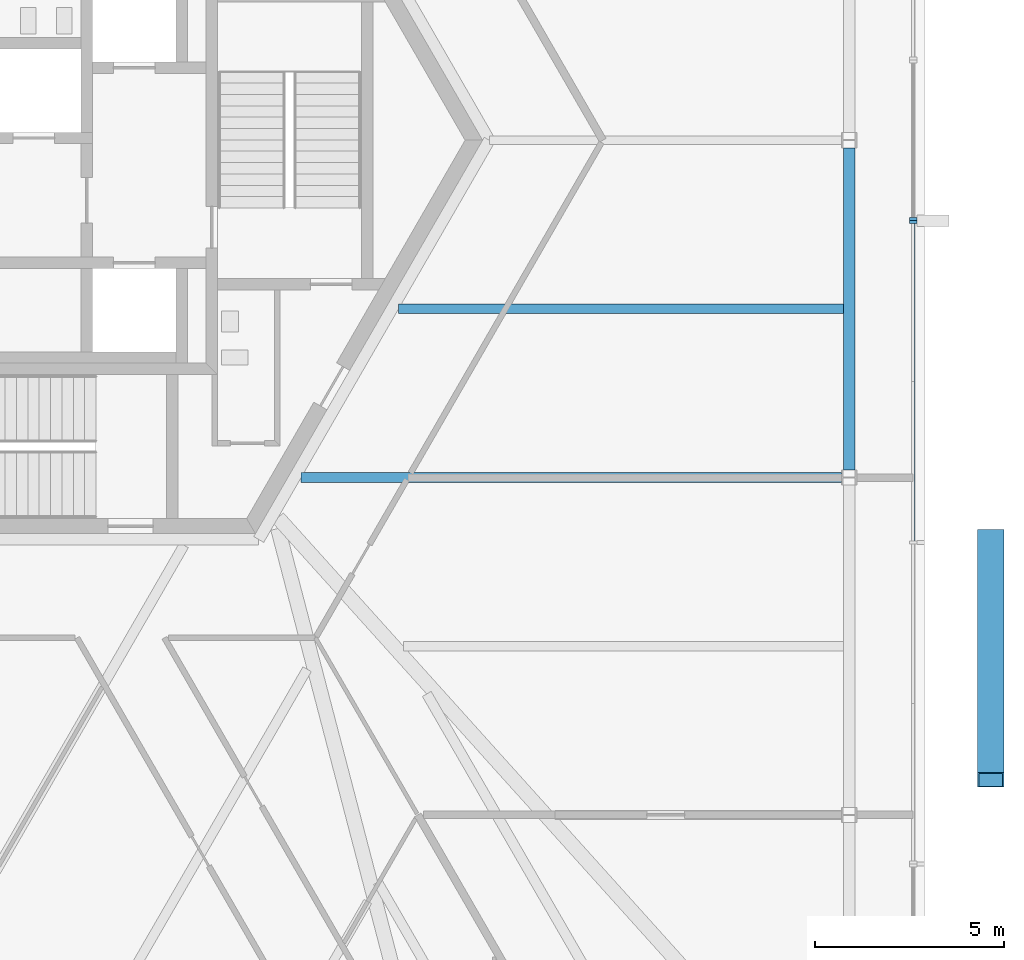
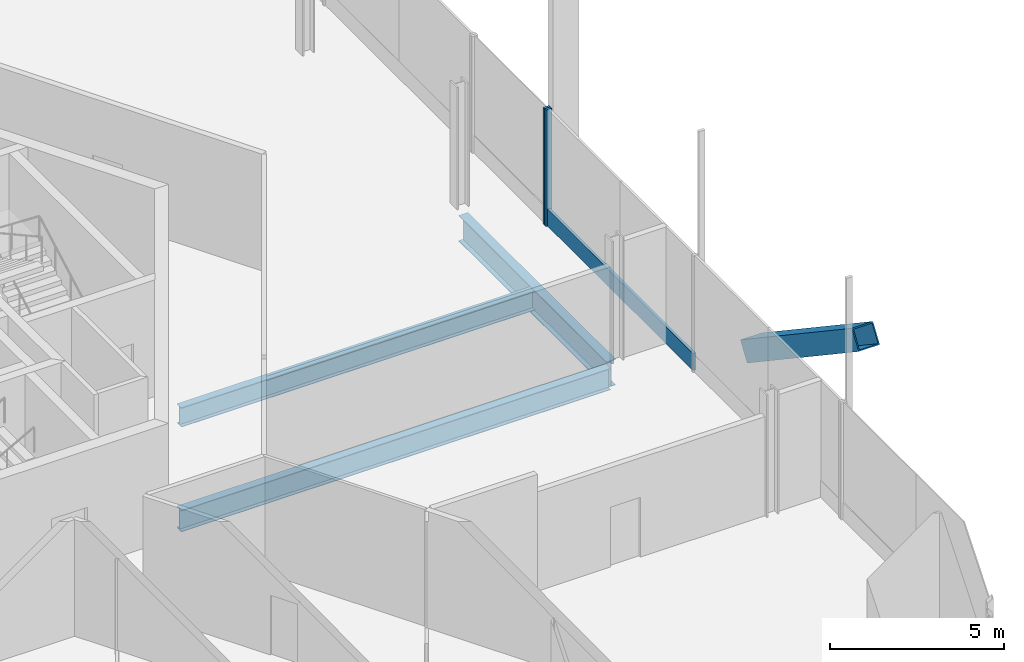
# One storey, part 5 of 19: 4 members, 3 beams, 2 elements without a shape of their own.
"""IFC4 building model written with IfcOpenShell, lengths in metres."""

from ifc_helpers import new_model, si_unit, direction, frame, origin, origin_2d, place, context, subcontext, project, spatial, rectangle, hollow_rectangle, i_section, extrude, source, transform, mapped, material, material_profile, profile_set, type_object, element, aggregate, save


model = new_model("IFC4")

# Units and contexts
model_context = context("Model", 3, precision=1e-05, world=origin(), true_north=direction((0.0, 1.0)))
body_context = subcontext(model_context, "Body", "Model", "MODEL_VIEW")
ifc_project = project(units=[si_unit("LENGTHUNIT", "METRE"), si_unit("AREAUNIT", "SQUARE_METRE"), si_unit("VOLUMEUNIT", "CUBIC_METRE"), si_unit("PLANEANGLEUNIT", "RADIAN"), si_unit("MASSUNIT", "GRAM", prefix="KILO")], contexts=[model_context])

# Site, building, storey
site_placement = place(None, origin())
site = spatial("IfcSite", under=ifc_project, at=site_placement, CompositionType="ELEMENT")
building_placement = place(site_placement, origin())
building = spatial("IfcBuilding", under=site, at=building_placement, Name="Triune Harvest Tower", CompositionType="ELEMENT")
storey_placement = place(building_placement, frame((0.0, 0.0, 41.800048828125)))
storey = spatial("IfcBuildingStorey", under=building, at=storey_placement, Name="L09", CompositionType="ELEMENT", Elevation=41.800048828125)

# Beams
ifc_material_1 = material(Name="Steel ASTM A992 Gr 50", Category="steel")
ifc_material_profile_1 = material_profile(ifc_material_1, i_section(OverallWidth=0.2666015625, OverallDepth=0.7568359375, WebThickness=0.013916015625, FlangeThickness=0.019287109375, at=origin_2d()), Name="W30x108")
ifc_profile_set_1 = profile_set([ifc_material_profile_1], Name="Steel ASTM A992 Gr 50")
beam_type_1 = type_object("IfcBeamType", Name="JT-5 Floor joist W30x108", PredefinedType="JOIST", material=ifc_profile_set_1)
shared_shape_1 = source(origin(), body_context, "Body", "SweptSolid", [
    extrude(i_section(OverallWidth=0.2666015625, OverallDepth=0.7568359375, WebThickness=0.013916015625, FlangeThickness=0.019287109375, at=origin_2d()), origin(), (0.0, 0.0, 1.0), 14.2685546875),
])
beam_1_placement = place(storey_placement, frame((21.476318359375, -8.909912109375, -0.57861328125), z_axis=(-1.0, 0.0, 0.0), x_axis=(0.0, -1.0, 0.0)))
element("IfcBeam", 1, at=beam_1_placement, inside=storey, type_object=beam_type_1, Name="beam/L09/JT4", PredefinedType="JOIST", context=body_context, shape_type="MappedRepresentation", body=[
    mapped(shared_shape_1, transform((0.0, 0.0, 0.0), scale=1.0)),
])
ifc_material_2 = material(Name="Steel ASTM A992 Gr 50", Category="steel")
ifc_material_profile_2 = material_profile(ifc_material_2, i_section(OverallWidth=0.3046875, OverallDepth=0.914306640625, WebThickness=0.0166015625, FlangeThickness=0.02587890625, at=origin_2d()), Name="W36x160")
ifc_profile_set_2 = profile_set([ifc_material_profile_2], Name="Steel ASTM A992 Gr 50")
beam_type_2 = type_object("IfcBeamType", Name="SB-1 Spandrel beam W36x160", PredefinedType="SPANDREL", material=ifc_profile_set_2)
shared_shape_2 = source(origin(), body_context, "Body", "SweptSolid", [
    extrude(i_section(OverallWidth=0.3046875, OverallDepth=0.914306640625, WebThickness=0.0166015625, FlangeThickness=0.02587890625, at=origin_2d()), origin(), (0.0, 0.0, 1.0), 8.506103515625),
])
beam_2_placement = place(storey_placement, frame((21.679443359375, -8.7080078125, -0.6572265625), z_axis=(0.0, 1.0, 0.0), x_axis=(-1.0, 0.0, 0.0)))
element("IfcBeam", 2, at=beam_2_placement, inside=storey, type_object=beam_type_2, Name="beam/L09/SB3", PredefinedType="SPANDREL", context=body_context, shape_type="MappedRepresentation", body=[
    mapped(shared_shape_2, transform((0.0, 0.0, 0.0), scale=1.0)),
])
ifc_material_3 = material(Name="Steel ASTM A992 Gr 50", Category="steel")
ifc_material_profile_3 = material_profile(ifc_material_3, i_section(OverallWidth=0.253662109375, OverallDepth=0.683349609375, WebThickness=0.012451171875, FlangeThickness=0.01904296875, at=origin_2d()), Name="W27x94")
ifc_profile_set_3 = profile_set([ifc_material_profile_3], Name="Steel ASTM A992 Gr 50")
beam_type_3 = type_object("IfcBeamType", Name="JT-4 Floor joist W27x94", PredefinedType="JOIST", material=ifc_profile_set_3)
shared_shape_3 = source(origin(), body_context, "Body", "SweptSolid", [
    extrude(i_section(OverallWidth=0.253662109375, OverallDepth=0.683349609375, WebThickness=0.012451171875, FlangeThickness=0.01904296875, at=origin_2d()), origin(), (0.0, 0.0, 1.0), 11.747314453125),
])
beam_3_placement = place(storey_placement, frame((21.527099609375, -4.455078125, -0.541748046875), z_axis=(-1.0, 0.0, 0.0), x_axis=(0.0, -1.0, 0.0)))
element("IfcBeam", 3, at=beam_3_placement, inside=storey, type_object=beam_type_3, Name="beam/L09/JT5", PredefinedType="JOIST", context=body_context, shape_type="MappedRepresentation", body=[
    mapped(shared_shape_3, transform((0.0, 0.0, 0.0), scale=1.0)),
])

# Member
ifc_material_4 = material(Name="Steel ASTM A572 Gr 50", Category="steel")
ifc_material_profile_4 = material_profile(ifc_material_4, hollow_rectangle(XDim=0.699951171875, YDim=0.699951171875, WallThickness=0.0400390625, at=origin_2d()), Name="Box 700x700x40")
ifc_profile_set_4 = profile_set([ifc_material_profile_4], Name="Steel ASTM A572 Gr 50")
member_type_1 = type_object("IfcMemberType", Name="BR-1 Brace Box 700x700x40", PredefinedType="BRACE", material=ifc_profile_set_4)
shared_shape_4 = source(origin(), body_context, "Body", "SweptSolid", [
    extrude(hollow_rectangle(XDim=0.699951171875, YDim=0.699951171875, WallThickness=0.0400390625, at=origin_2d()), origin(), (0.0, 0.0, 1.0), 7.728515625),
])
member_1_placement = place(storey_placement, frame((25.42138671875, -10.471923828125, 0.0), z_axis=(0.0, -0.830925953807, 0.556383014918), x_axis=(1.0, 0.0, 0.0)))
element("IfcMember", 4, at=member_1_placement, inside=storey, type_object=member_type_1, Name="brace/B1-F1/d2/7", PredefinedType="BRACE", context=body_context, shape_type="MappedRepresentation", body=[
    mapped(shared_shape_4, transform((0.0, 0.0, 0.0), scale=1.0)),
])

# Curtain wall, member
ifc_material_5 = material(Name="Aluminium bronze anodised", Category="aluminium")
curtain_wall_type_1 = type_object("IfcCurtainWallType", Name="CW-8 Farm floor curtain wall with insulated spandrel infill", PredefinedType="NOTDEFINED", material=ifc_material_5)
curtain_wall_1_placement = place(storey_placement, origin())
curtain_wall_1 = element("IfcCurtainWall", 5, at=curtain_wall_1_placement, inside=storey, type_object=curtain_wall_type_1, Name="CW-8 B1-F1 L09 run 1001")
ifc_material_6 = material(Name="Aluminium bronze anodised", Category="aluminium")
ifc_material_profile_5 = material_profile(ifc_material_6, rectangle(XDim=0.199951171875, YDim=0.080078125, at=origin_2d()), Name="MU-3 mullion 80 x 200")
ifc_profile_set_5 = profile_set([ifc_material_profile_5], Name="Aluminium bronze anodised")
member_type_2 = type_object("IfcMemberType", Name="MU-3 mullion 80 x 200", PredefinedType="MULLION", material=ifc_profile_set_5)
shared_shape_5 = source(origin(), body_context, "Body", "SweptSolid", [
    extrude(rectangle(XDim=0.199951171875, YDim=0.080078125, at=origin_2d()), origin(), (0.0, 0.0, 1.0), 4.099853515625),
])
member_2_placement = place(storey_placement, frame((23.371337890625, -2.164306640625, 0.0), z_axis=(0.0, 0.0, 1.0), x_axis=(-1.0, 0.0, 0.0)))
member_2 = element("IfcMember", 6, at=member_2_placement, type_object=member_type_2, Name="CW-8 mullion B1-F1 1001.5", PredefinedType="MULLION", context=body_context, shape_type="MappedRepresentation", body=[
    mapped(shared_shape_5, transform((0.0, 0.0, 0.0), scale=1.0)),
])

ifc_material_7 = material(Name="Aluminium bronze anodised", Category="aluminium")
curtain_wall_type_2 = type_object("IfcCurtainWallType", Name="CW-3 Farm floor curtain wall", PredefinedType="NOTDEFINED", material=ifc_material_7)
curtain_wall_2_placement = place(storey_placement, origin())
curtain_wall_2 = element("IfcCurtainWall", 7, at=curtain_wall_2_placement, inside=storey, type_object=curtain_wall_type_2, Name="CW-3 B1-F1 L09 run 2001")
member_3_placement = place(storey_placement, frame((23.371337890625, -2.08447265625, 0.0), z_axis=(0.0, 0.0, 1.0), x_axis=(-1.0, 0.0, 0.0)))
member_3 = element("IfcMember", 8, at=member_3_placement, type_object=member_type_2, Name="CW-3 mullion B1-F1 2001.1", PredefinedType="MULLION", context=body_context, shape_type="MappedRepresentation", body=[
    mapped(shared_shape_5, transform((0.0, 0.0, 0.0), scale=1.0)),
])
aggregate(curtain_wall_2, [member_3])

# Member
ifc_material_8 = material(Name="Aluminium bronze anodised", Category="aluminium")
ifc_material_profile_6 = material_profile(ifc_material_8, rectangle(XDim=0.090087890625, YDim=0.60009765625, at=origin_2d()), Name="TR-3 transom 90 x 600")
ifc_profile_set_6 = profile_set([ifc_material_profile_6], Name="Aluminium bronze anodised")
member_type_3 = type_object("IfcMemberType", Name="TR-3 transom 90 x 600", PredefinedType="USERDEFINED", material=ifc_profile_set_6)
shared_shape_6 = source(origin(), body_context, "Body", "SweptSolid", [
    extrude(rectangle(XDim=0.090087890625, YDim=0.60009765625, at=origin_2d()), origin(), (0.0, 0.0, 1.0), 8.37744140625),
])
member_4_placement = place(storey_placement, frame((23.371337890625, -10.581787109375, 0.300048828125), z_axis=(0.0, 1.0, 0.0), x_axis=(-1.0, 0.0, 0.0)))
member_4 = element("IfcMember", 9, at=member_4_placement, type_object=member_type_3, Name="CW-8 transom B1-F1 1001.2", ObjectType="TRANSOM", PredefinedType="USERDEFINED", context=body_context, shape_type="MappedRepresentation", body=[
    mapped(shared_shape_6, transform((0.0, 0.0, 0.0), scale=1.0)),
])

aggregate(curtain_wall_1, [member_2, member_4])

save(model, "model.ifc")
